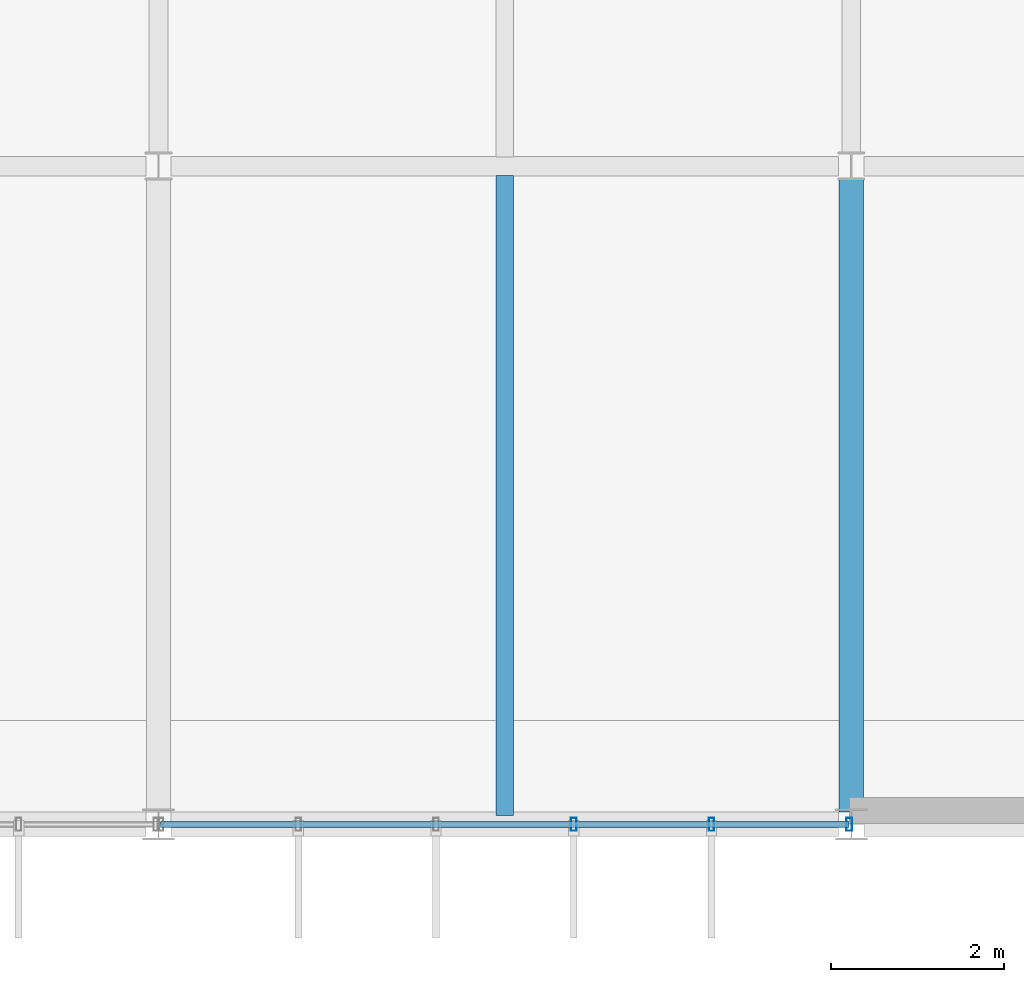
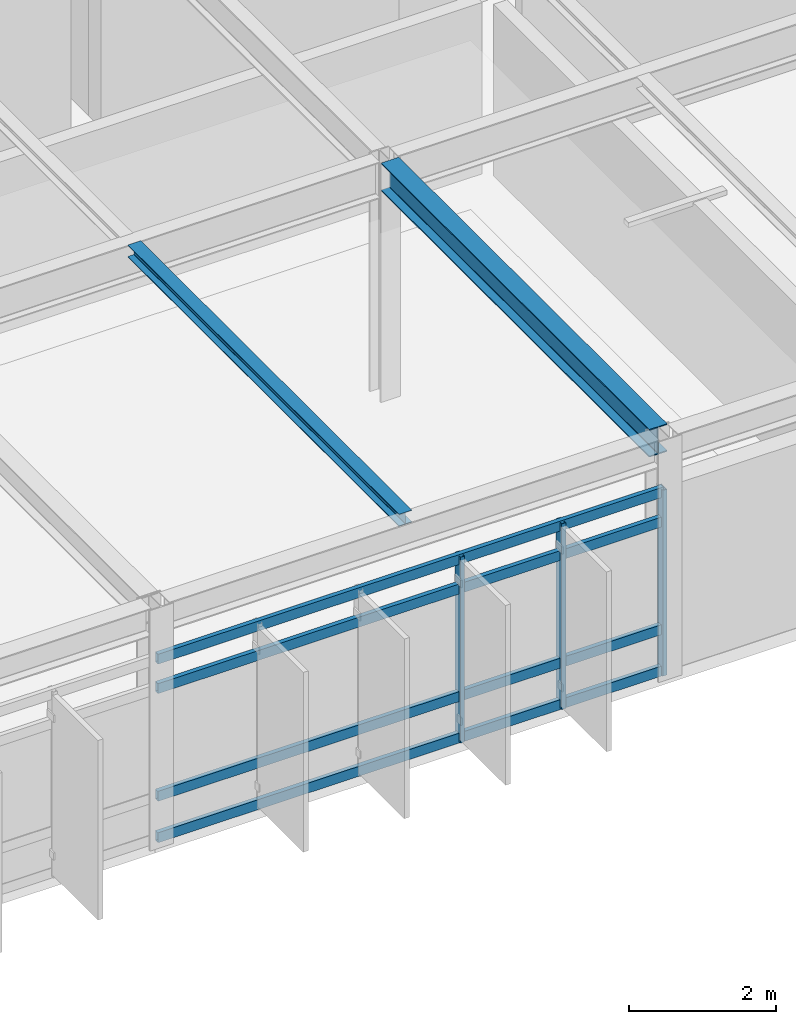
# One storey, part 16 of 45: 7 members, 2 beams, 1 element without a shape of its own.
"""IFC4 building model written with IfcOpenShell, lengths in metres."""

from ifc_helpers import new_model, si_unit, direction, frame, origin, origin_2d, place, context, subcontext, project, spatial, hollow_rectangle, i_section, extrude, material, material_profile, profile_set, type_object, element, aggregate, save


model = new_model("IFC4")

# Units and contexts
model_context = context("Model", 3, precision=1e-05, world=origin(), true_north=direction((0.0, 1.0)))
body_context = subcontext(model_context, "Body", "Model", "MODEL_VIEW")
ifc_project = project(units=[si_unit("LENGTHUNIT", "METRE"), si_unit("AREAUNIT", "SQUARE_METRE"), si_unit("VOLUMEUNIT", "CUBIC_METRE"), si_unit("PLANEANGLEUNIT", "RADIAN"), si_unit("MASSUNIT", "GRAM", prefix="KILO")], contexts=[model_context])

# Site, building, storey
site_placement = place(None, origin())
site = spatial("IfcSite", under=ifc_project, at=site_placement, CompositionType="ELEMENT")
building_placement = place(site_placement, origin())
building = spatial("IfcBuilding", under=site, at=building_placement, Name="Zulena Civic Courthouse", CompositionType="ELEMENT")
storey_placement = place(building_placement, frame((0.0, 0.0, 29.39990234375)))
storey = spatial("IfcBuildingStorey", under=building, at=storey_placement, Name="L06", CompositionType="ELEMENT", Elevation=29.39990234375)

# Curtain wall, members
ifc_material_1 = material(Name="Double-silver low-E laminated solar-control glass", Category="glass")
curtain_wall_type = type_object("IfcCurtainWallType", Name="CW_7952x3090", PredefinedType="USERDEFINED", material=ifc_material_1)
curtain_wall_placement = place(storey_placement, origin())
curtain_wall = element("IfcCurtainWall", 1, at=curtain_wall_placement, inside=storey, type_object=curtain_wall_type, Name="cw:V2:L06:3:3", ObjectType="UNITISED CURTAIN WALL", PredefinedType="USERDEFINED")
ifc_material_2 = material(Name="Bronze anodised thermally broken aluminium AA6063-T6", Category="aluminium")
ifc_material_profile_1 = material_profile(ifc_material_2, hollow_rectangle(XDim=0.06494140625, YDim=0.14990234375, WallThickness=0.00390625, at=origin_2d()), Name="CWM150X65X4")
ifc_profile_set_1 = profile_set([ifc_material_profile_1], Name="Bronze anodised thermally broken aluminium AA6063-T6")
member_type_1 = type_object("IfcMemberType", Name="CWMullion_150x65", PredefinedType="MULLION", material=ifc_profile_set_1)
member_1_placement = place(storey_placement, frame((43.97607421875, 0.0, 0.0), z_axis=(0.0, 0.0, 1.0), x_axis=(1.0, 0.0, 0.0)))
member_1 = element("IfcMember", 2, at=member_1_placement, type_object=member_type_1, Name="cw:V2:L06:3:3:mull:0", PredefinedType="MULLION", context=body_context, shape_type="SweptSolid", body=[
    extrude(hollow_rectangle(XDim=0.06494140625, YDim=0.14990234375, WallThickness=0.00390625, at=origin_2d()), origin(), (0.0, 0.0, 1.0), 3.090087890625),
])
member_2_placement = place(storey_placement, frame((42.385498046875, 0.0, 0.0), z_axis=(0.0, 0.0, 1.0), x_axis=(1.0, 0.0, 0.0)))
member_2 = element("IfcMember", 3, at=member_2_placement, type_object=member_type_1, Name="cw:V2:L06:3:3:mull:1", PredefinedType="MULLION", context=body_context, shape_type="SweptSolid", body=[
    extrude(hollow_rectangle(XDim=0.06494140625, YDim=0.14990234375, WallThickness=0.00390625, at=origin_2d()), origin(), (0.0, 0.0, 1.0), 3.090087890625),
])
member_3_placement = place(storey_placement, frame((40.795166015625, 0.0, 0.0), z_axis=(0.0, 0.0, 1.0), x_axis=(1.0, 0.0, 0.0)))
member_3 = element("IfcMember", 4, at=member_3_placement, type_object=member_type_1, Name="cw:V2:L06:3:3:mull:2", PredefinedType="MULLION", context=body_context, shape_type="SweptSolid", body=[
    extrude(hollow_rectangle(XDim=0.06494140625, YDim=0.14990234375, WallThickness=0.00390625, at=origin_2d()), origin(), (0.0, 0.0, 1.0), 3.090087890625),
])
ifc_material_profile_2 = material_profile(ifc_material_2, hollow_rectangle(XDim=0.070068359375, YDim=0.1650390625, WallThickness=0.00390625, at=origin_2d()), Name="CWT165X70X4")
ifc_profile_set_2 = profile_set([ifc_material_profile_2], Name="Bronze anodised thermally broken aluminium AA6063-T6")
member_type_2 = type_object("IfcMemberType", Name="CWTransom_165x70", PredefinedType="USERDEFINED", material=ifc_profile_set_2)
member_4_placement = place(storey_placement, frame((43.97607421875, 0.0, 0.06005859375), z_axis=(-1.0, 0.0, 0.0), x_axis=(0.0, -1.0, 0.0)))
member_4 = element("IfcMember", 5, at=member_4_placement, type_object=member_type_2, Name="cw:V2:L06:3:3:tran:0", ObjectType="TRANSOM", PredefinedType="USERDEFINED", context=body_context, shape_type="SweptSolid", body=[
    extrude(hollow_rectangle(XDim=0.070068359375, YDim=0.1650390625, WallThickness=0.00390625, at=origin_2d()), origin(), (0.0, 0.0, 1.0), 7.9521484375),
])
member_5_placement = place(storey_placement, frame((43.97607421875, 0.0, 0.75), z_axis=(-1.0, 0.0, 0.0), x_axis=(0.0, -1.0, 0.0)))
member_5 = element("IfcMember", 6, at=member_5_placement, type_object=member_type_2, Name="cw:V2:L06:3:3:tran:1", ObjectType="TRANSOM", PredefinedType="USERDEFINED", context=body_context, shape_type="SweptSolid", body=[
    extrude(hollow_rectangle(XDim=0.070068359375, YDim=0.1650390625, WallThickness=0.00390625, at=origin_2d()), origin(), (0.0, 0.0, 1.0), 7.9521484375),
])
member_6_placement = place(storey_placement, frame((43.97607421875, 0.0, 2.5400390625), z_axis=(-1.0, 0.0, 0.0), x_axis=(0.0, -1.0, 0.0)))
member_6 = element("IfcMember", 7, at=member_6_placement, type_object=member_type_2, Name="cw:V2:L06:3:3:tran:2", ObjectType="TRANSOM", PredefinedType="USERDEFINED", context=body_context, shape_type="SweptSolid", body=[
    extrude(hollow_rectangle(XDim=0.070068359375, YDim=0.1650390625, WallThickness=0.00390625, at=origin_2d()), origin(), (0.0, 0.0, 1.0), 7.9521484375),
])
member_7_placement = place(storey_placement, frame((43.97607421875, 0.0, 3.030029296875), z_axis=(-1.0, 0.0, 0.0), x_axis=(0.0, -1.0, 0.0)))
member_7 = element("IfcMember", 8, at=member_7_placement, type_object=member_type_2, Name="cw:V2:L06:3:3:tran:3", ObjectType="TRANSOM", PredefinedType="USERDEFINED", context=body_context, shape_type="SweptSolid", body=[
    extrude(hollow_rectangle(XDim=0.070068359375, YDim=0.1650390625, WallThickness=0.00390625, at=origin_2d()), origin(), (0.0, 0.0, 1.0), 7.9521484375),
])
aggregate(curtain_wall, [member_1, member_2, member_3, member_4, member_5, member_6, member_7])

# Beams
ifc_material_3 = material(Name="Steel ASTM A992 Grade 50", Category="steel")
ifc_material_profile_3 = material_profile(ifc_material_3, i_section(OverallWidth=0.202880859375, OverallDepth=0.202880859375, WebThickness=0.007080078125, FlangeThickness=0.010986328125, FilletRadius=0.007568359375, at=origin_2d()), Name="W8X31")
ifc_profile_set_3 = profile_set([ifc_material_profile_3], Name="Steel ASTM A992 Grade 50")
beam_type_1 = type_object("IfcBeamType", Name="Joist_W8X31", PredefinedType="JOIST", material=ifc_profile_set_3)
beam_1_placement = place(storey_placement, frame((40.0, 0.10498046875, 3.898681640625), z_axis=(0.0, 1.0, 0.0), x_axis=(-1.0, 0.0, 0.0)))
element("IfcBeam", 9, at=beam_1_placement, inside=storey, type_object=beam_type_1, Name="joist:V2:L06:40.00:0.0_7.6", PredefinedType="JOIST", context=body_context, shape_type="SweptSolid", body=[
    extrude(i_section(OverallWidth=0.202880859375, OverallDepth=0.202880859375, WebThickness=0.007080078125, FlangeThickness=0.010986328125, FilletRadius=0.007568359375, at=origin_2d()), origin(), (0.0, 0.0, 1.0), 7.39013671875),
])
ifc_material_profile_4 = material_profile(ifc_material_3, i_section(OverallWidth=0.280029296875, OverallDepth=0.462890625, WebThickness=0.0107421875, FlangeThickness=0.017333984375, FilletRadius=0.01025390625, at=origin_2d()), Name="W18X76")
ifc_profile_set_4 = profile_set([ifc_material_profile_4], Name="Steel ASTM A992 Grade 50")
beam_type_2 = type_object("IfcBeamType", Name="Spandrel_W18X76", PredefinedType="SPANDREL", material=ifc_profile_set_4)
beam_2_placement = place(storey_placement, frame((44.0, 0.14501953125, 3.7685546875), z_axis=(0.0, 1.0, 0.0), x_axis=(-1.0, 0.0, 0.0)))
element("IfcBeam", 10, at=beam_2_placement, inside=storey, type_object=beam_type_2, Name="beam:Y:V2:L06:44.0:0.0_7.6", PredefinedType="SPANDREL", context=body_context, shape_type="SweptSolid", body=[
    extrude(i_section(OverallWidth=0.280029296875, OverallDepth=0.462890625, WebThickness=0.0107421875, FlangeThickness=0.017333984375, FilletRadius=0.01025390625, at=origin_2d()), origin(), (0.0, 0.0, 1.0), 7.31005859375),
])

save(model, "model.ifc")
